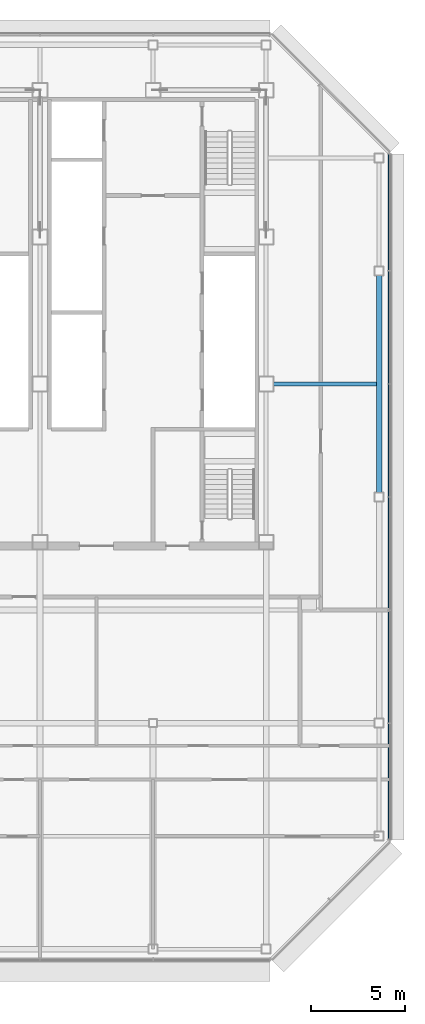
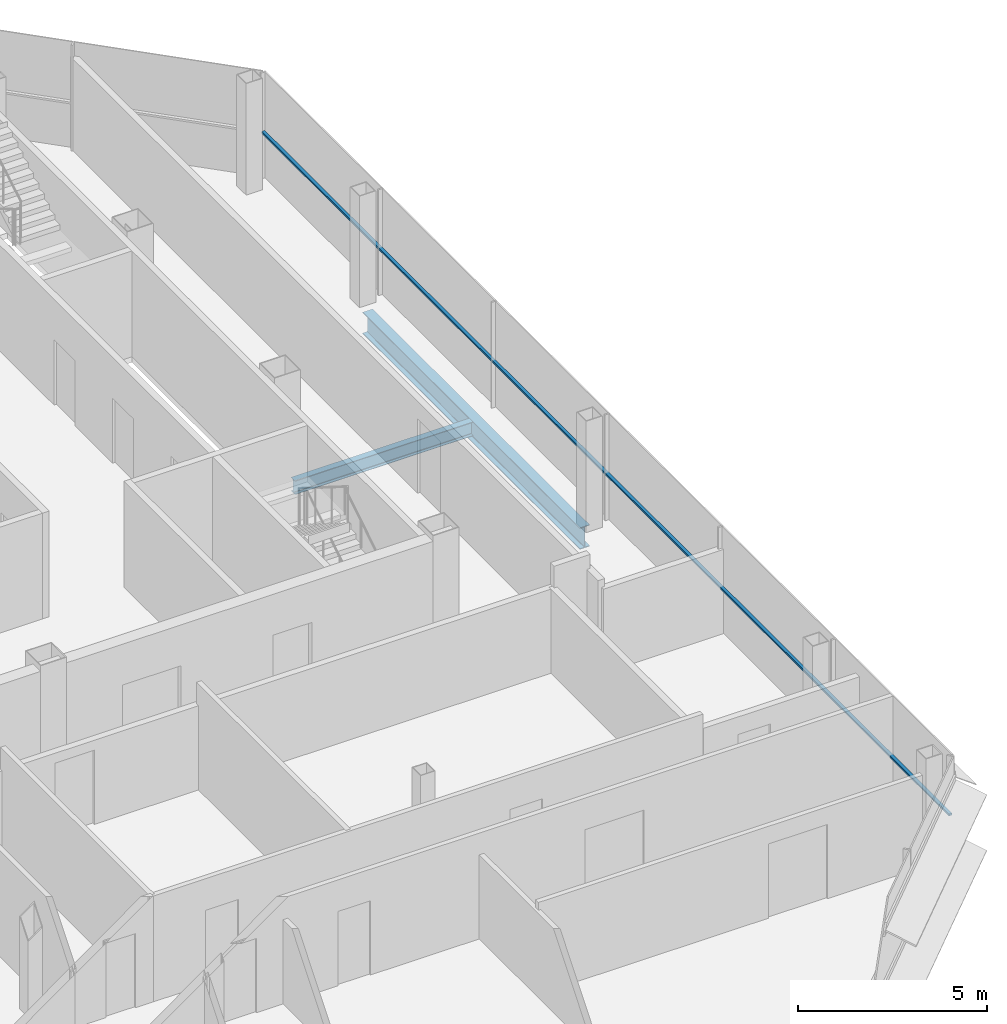
# One storey, part 20 of 31: 2 beams, 1 member, 1 element without a shape of its own.
"""IFC4 building model written with IfcOpenShell, lengths in metres."""

import ifcopenshell
import ifcopenshell.guid

model = None  # the IFC model being written
_history = None  # IfcOwnerHistory: only IFC2X3 demands one
_inside = {}  # id of a spatial element -> (the spatial element, [elements in it])
_under = {}  # id of a project, library or spatial element -> (it, [spatial elements below it])
_declared = {}  # id of a project -> (the project, [libraries it declares])
_typed = {}  # id of a type object -> (the type object, [elements of that type])
_made_of = {}  # id of a material, layer set ... -> (it, [elements and type objects made of it])


def new_model(schema):
    """Start an empty IFC model of exactly this schema.

    Asked for "IFC4X3", IfcOpenShell would pick the latest addendum, in which some entities
    have other attributes; the version numbers below select the first issue.
    IFC2X3 requires an IfcOwnerHistory on every rooted entity: one is made here for all.
    """
    global model, _history
    if schema == "IFC4X3":
        model = ifcopenshell.file(schema_version=(4, 3, 0, 0))
    else:
        model = ifcopenshell.file(schema=schema)
    _inside.clear()
    _under.clear()
    _declared.clear()
    _typed.clear()
    _made_of.clear()
    _history = None
    if model.schema == "IFC2X3":
        org = make("IfcOrganization", Name="unknown")
        user = make(
            "IfcPersonAndOrganization",
            ThePerson=make("IfcPerson", FamilyName="unknown"),
            TheOrganization=org,
        )
        app = make(
            "IfcApplication",
            ApplicationDeveloper=org,
            Version="unknown",
            ApplicationFullName="unknown",
            ApplicationIdentifier="unknown",
        )
        _history = make(
            "IfcOwnerHistory",
            OwningUser=user,
            OwningApplication=app,
            ChangeAction="ADDED",
            CreationDate=0,
        )
    return model


def make(cls, **values):
    """One entity of the class cls with the attributes given. An attribute that is None is left unset."""
    return model.create_entity(
        cls, **{name: value for name, value in values.items() if value is not None}
    )


def rooted(cls, **values):
    """An entity with a GlobalId (a new one), such as an element, a storey or a relation."""
    return make(cls, GlobalId=ifcopenshell.guid.new(), OwnerHistory=_history, **values)


def si_unit(unit_type, name, prefix=None):
    """IfcSIUnit, for example si_unit("LENGTHUNIT", "METRE", prefix="MILLI")."""
    return make("IfcSIUnit", UnitType=unit_type, Prefix=prefix, Name=name)


def assignment(units):
    """IfcUnitAssignment: the units of a project."""
    return None if units is None else make("IfcUnitAssignment", Units=units)


def point(xyz):
    """IfcCartesianPoint."""
    return None if xyz is None else make("IfcCartesianPoint", Coordinates=xyz)


def direction(xyz):
    """IfcDirection."""
    return None if xyz is None else make("IfcDirection", DirectionRatios=xyz)


def frame(location, z_axis=None, x_axis=None):
    """IfcAxis2Placement3D, a coordinate frame: its origin and axes. An axis left out is left unset."""
    return make(
        "IfcAxis2Placement3D",
        Location=point(location),
        Axis=direction(z_axis),
        RefDirection=direction(x_axis),
    )


def frame_2d(location, x_axis=None):
    """IfcAxis2Placement2D, a coordinate frame in the plane: its origin and x axis."""
    return make(
        "IfcAxis2Placement2D", Location=point(location), RefDirection=direction(x_axis)
    )


def origin():
    """The frame at (0, 0, 0) with its axes left unset."""
    return frame((0.0, 0.0, 0.0))


def origin_2d():
    """The frame at (0, 0) in the plane with its x axis left unset."""
    return frame_2d((0.0, 0.0))


def place(relative_to, where):
    """IfcLocalPlacement: puts the frame where relative to a parent placement (None: the world)."""
    return make(
        "IfcLocalPlacement", PlacementRelTo=relative_to, RelativePlacement=where
    )


def context(
    kind, dimensions, precision=None, world=None, true_north=None, identifier=None
):
    """IfcGeometricRepresentationContext, for example the 3D "Model" context."""
    return make(
        "IfcGeometricRepresentationContext",
        ContextIdentifier=identifier,
        ContextType=kind,
        CoordinateSpaceDimension=dimensions,
        Precision=precision,
        WorldCoordinateSystem=world,
        TrueNorth=true_north,
    )


def subcontext(parent, identifier, kind, view, scale=None):
    """IfcGeometricRepresentationSubContext, for example "Body" below "Model"."""
    return make(
        "IfcGeometricRepresentationSubContext",
        ContextIdentifier=identifier,
        ContextType=kind,
        ParentContext=parent,
        TargetScale=scale,
        TargetView=view,
    )


def project(units=None, contexts=None):
    """IfcProject with its units and contexts."""
    return rooted(
        "IfcProject",
        Name="project",
        RepresentationContexts=contexts,
        UnitsInContext=assignment(units),
    )


def spatial(cls, under=None, at=None, **own):
    """A site, building, storey or space (cls), placed at a placement, below another one or the project."""
    s = rooted(cls, ObjectPlacement=at, **own)
    if under is not None:
        _under.setdefault(under.id(), (under, []))[1].append(s)
    return s


def profile(cls, at=None, kind="AREA", **sizes):
    """A parametric profile (cls). Its sizes go by their IFC names, for example OverallWidth=200.0."""
    return make(cls, ProfileType=kind, Position=at, **sizes)


def rectangle(**sizes):
    """IfcRectangleProfileDef."""
    return profile("IfcRectangleProfileDef", **sizes)


def i_section(**sizes):
    """IfcIShapeProfileDef."""
    return profile("IfcIShapeProfileDef", **sizes)


def extrude(swept, where, along, depth):
    """IfcExtrudedAreaSolid: the profile swept, set in the frame where, extruded along a direction by depth."""
    return make(
        "IfcExtrudedAreaSolid",
        SweptArea=swept,
        Position=where,
        ExtrudedDirection=direction(along),
        Depth=depth,
    )


def shape(context_of_items, identifier, shape_type, items):
    """IfcShapeRepresentation: the items that make up one representation, for example the "Body"."""
    return make(
        "IfcShapeRepresentation",
        ContextOfItems=context_of_items,
        RepresentationIdentifier=identifier,
        RepresentationType=shape_type,
        Items=items,
    )


def material(Name=None, Category=None):
    """IfcMaterial."""
    return make("IfcMaterial", Name=Name, Category=Category)


def material_profile(
    of_material, cross_section, Name=None, Category=None, Priority=None
):
    """IfcMaterialProfile: a cross section and its material."""
    return make(
        "IfcMaterialProfile",
        Name=Name,
        Material=of_material,
        Profile=cross_section,
        Priority=Priority,
        Category=Category,
    )


def profile_set(profiles, Name=None, composite=None):
    """IfcMaterialProfileSet."""
    return make(
        "IfcMaterialProfileSet",
        Name=Name,
        MaterialProfiles=profiles,
        CompositeProfile=composite,
    )


def made_of(thing, what):
    """Note that an element or type object is made of a material, layer set ...; save() writes the relation."""
    if what is not None:
        _made_of.setdefault(what.id(), (what, []))[1].append(thing)
    return thing


def type_object(cls, material=None, **own):
    """A type object (cls), such as IfcWallType, which elements share."""
    return made_of(rooted(cls, **own), material)


def element(
    cls,
    number,
    at=None,
    inside=None,
    cuts=None,
    type_object=None,
    material=None,
    context=None,
    identifier="Body",
    shape_type=None,
    held_by="IfcProductDefinitionShape",
    body=None,
    shapes=None,
    **own,
):
    """One element of the class cls, such as IfcWall. Its Tag is "e" and its number.

    at: its placement. inside: the storey or other place that contains it. cuts: it is an
    opening in that element (IfcRelVoidsElement). A single representation is given by context,
    identifier, shape_type and body (its items); several are given by shapes. held_by: the class
    of the entity that holds the representations. save() writes the other relations.
    """
    e = rooted(cls, Tag="e%d" % number, ObjectPlacement=at, **own)
    if body is not None:
        shapes = [shape(context, identifier, shape_type, body)]
    if shapes is not None:
        e.Representation = make(held_by, Representations=shapes)
    if inside is not None:
        _inside.setdefault(inside.id(), (inside, []))[1].append(e)
    if cuts is not None:
        rooted(
            "IfcRelVoidsElement", RelatingBuildingElement=cuts, RelatedOpeningElement=e
        )
    if type_object is not None:
        _typed.setdefault(type_object.id(), (type_object, []))[1].append(e)
    return made_of(e, material)


def aggregate(whole, parts):
    """IfcRelAggregates: a whole, such as a stair, and the parts it consists of."""
    return rooted("IfcRelAggregates", RelatingObject=whole, RelatedObjects=parts)


def save(model, path):
    """Write the relations noted so far, then the file.

    IfcRelAggregates (storeys below a building ...), IfcRelContainedInSpatialStructure (elements
    in a storey), IfcRelDefinesByType, IfcRelAssociatesMaterial and IfcRelDeclares: one each for
    every whole, place, type object, material and project.
    """
    for whole, parts in _under.values():
        aggregate(whole, parts)
    for where, things in _inside.values():
        rooted(
            "IfcRelContainedInSpatialStructure",
            RelatedElements=things,
            RelatingStructure=where,
        )
    for kind, things in _typed.values():
        rooted("IfcRelDefinesByType", RelatedObjects=things, RelatingType=kind)
    for what, things in _made_of.values():
        rooted("IfcRelAssociatesMaterial", RelatedObjects=things, RelatingMaterial=what)
    for by, libraries in _declared.values():
        rooted("IfcRelDeclares", RelatingContext=by, RelatedDefinitions=libraries)
    model.write(path)


model = new_model("IFC4")

# Units and contexts
model_context = context("Model", 3, precision=1e-05, world=origin(), true_north=direction((0.0, 1.0)))
body_context = subcontext(model_context, "Body", "Model", "MODEL_VIEW")
ifc_project = project(units=[si_unit("LENGTHUNIT", "METRE"), si_unit("AREAUNIT", "SQUARE_METRE"), si_unit("VOLUMEUNIT", "CUBIC_METRE"), si_unit("PLANEANGLEUNIT", "RADIAN"), si_unit("MASSUNIT", "GRAM", prefix="KILO")], contexts=[model_context])

# Site, building, storey
site_placement = place(None, origin())
site = spatial("IfcSite", under=ifc_project, at=site_placement, CompositionType="ELEMENT")
building_placement = place(site_placement, origin())
building = spatial("IfcBuilding", under=site, at=building_placement, Name="Sorahane Residences", CompositionType="ELEMENT")
storey_placement = place(building_placement, frame((0.0, 0.0, 319.60009765625)))
storey = spatial("IfcBuildingStorey", under=building, at=storey_placement, Name="L76", CompositionType="ELEMENT", Elevation=319.60009765625)

# Curtain wall, member
ifc_material_1 = material(Name="Dark low-e glass and black anodised aluminium", Category="aluminium")
curtain_wall_type = type_object("IfcCurtainWallType", Name="Curtain wall CW-1 Typical unitised wall", PredefinedType="NOTDEFINED", material=ifc_material_1)
curtain_wall_placement = place(storey_placement, origin())
curtain_wall = element("IfcCurtainWall", 1, at=curtain_wall_placement, inside=storey, type_object=curtain_wall_type, Name="CW-1 curtain wall L76 E2", PredefinedType="NOTDEFINED")
ifc_material_2 = material(Name="Black anodised aluminium", Category="aluminium")
ifc_material_profile_1 = material_profile(ifc_material_2, rectangle(XDim=0.10009765625, YDim=0.06005859375, at=origin_2d()), Name="Curtain wall transom CW-1 black anodised aluminium 60x100")
ifc_profile_set_1 = profile_set([ifc_material_profile_1], Name="Black anodised aluminium")
member_type = type_object("IfcMemberType", Name="Curtain wall transom CW-1 black anodised aluminium 60x100", PredefinedType="USERDEFINED", material=ifc_profile_set_1)
member_placement = place(storey_placement, frame((48.530029296875, 5.801513671875, 1.5), z_axis=(0.0, 1.0, 0.0), x_axis=(-1.0, 0.0, 0.0)))
member = element("IfcMember", 2, at=member_placement, type_object=member_type, Name="CW-1 transom L76 E2", ObjectType="TRANSOM", PredefinedType="USERDEFINED", context=body_context, shape_type="SweptSolid", body=[
    extrude(rectangle(XDim=0.10009765625, YDim=0.06005859375, at=origin_2d()), origin(), (0.0, 0.0, 1.0), 36.39697265625),
])
aggregate(curtain_wall, [member])

# Beams
ifc_material_3 = material(Name="Steel Q355B", Category="steel")
ifc_material_profile_2 = material_profile(ifc_material_3, i_section(OverallWidth=0.199951171875, OverallDepth=0.449951171875, WebThickness=0.009033203125, FlangeThickness=0.013916015625, FilletRadius=0.02001953125, at=origin_2d()), Name="HN 450x200x9x14")
ifc_profile_set_2 = profile_set([ifc_material_profile_2], Name="Steel Q355B")
beam_type_1 = type_object("IfcBeamType", Name="Steel floor beam HN 450x200x9x14 Q355B", PredefinedType="BEAM", material=ifc_profile_set_2)
beam_1_placement = place(storey_placement, frame((42.39990234375, 30.0, -0.405029296875), z_axis=(1.0, 0.0, 0.0), x_axis=(0.0, 1.0, 0.0)))
element("IfcBeam", 3, at=beam_1_placement, inside=storey, type_object=beam_type_1, Name="Beam L76 084", PredefinedType="BEAM", context=body_context, shape_type="SweptSolid", body=[
    extrude(i_section(OverallWidth=0.199951171875, OverallDepth=0.449951171875, WebThickness=0.009033203125, FlangeThickness=0.013916015625, FilletRadius=0.02001953125, at=origin_2d()), origin(), (0.0, 0.0, 1.0), 5.4501953125),
])
ifc_material_4 = material(Name="Steel Q355B", Category="steel")
ifc_material_profile_3 = material_profile(ifc_material_4, i_section(OverallWidth=0.300048828125, OverallDepth=0.699951171875, WebThickness=0.012939453125, FlangeThickness=0.02392578125, FilletRadius=0.028076171875, at=origin_2d()), Name="HN 700x300x13x24")
ifc_profile_set_3 = profile_set([ifc_material_profile_3], Name="Steel Q355B")
beam_type_2 = type_object("IfcBeamType", Name="Steel floor beam HN 700x300x13x24 Q355B", PredefinedType="BEAM", material=ifc_profile_set_3)
beam_2_placement = place(storey_placement, frame((48.0, 24.25, -0.530029296875), z_axis=(0.0, 1.0, 0.0), x_axis=(-1.0, 0.0, 0.0)))
element("IfcBeam", 4, at=beam_2_placement, inside=storey, type_object=beam_type_2, Name="Beam L76 063", PredefinedType="BEAM", context=body_context, shape_type="SweptSolid", body=[
    extrude(i_section(OverallWidth=0.300048828125, OverallDepth=0.699951171875, WebThickness=0.012939453125, FlangeThickness=0.02392578125, FilletRadius=0.028076171875, at=origin_2d()), origin(), (0.0, 0.0, 1.0), 11.5),
])

save(model, "model.ifc")
